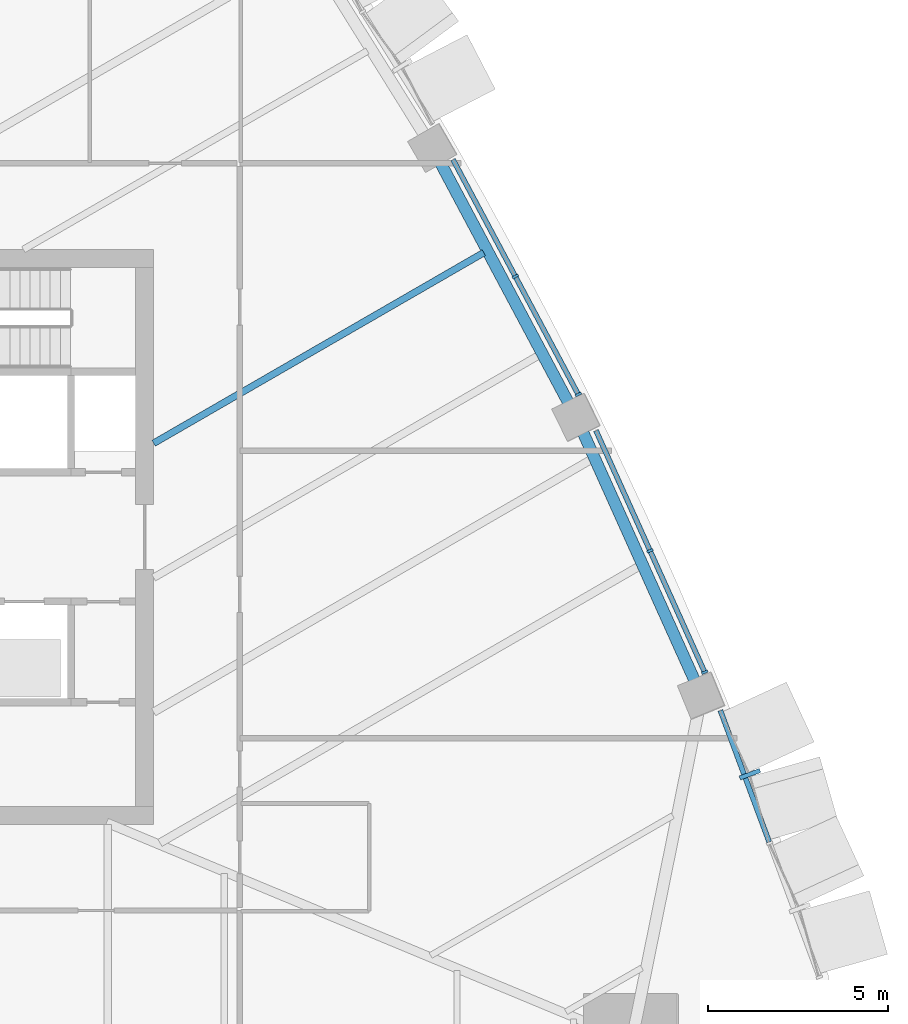
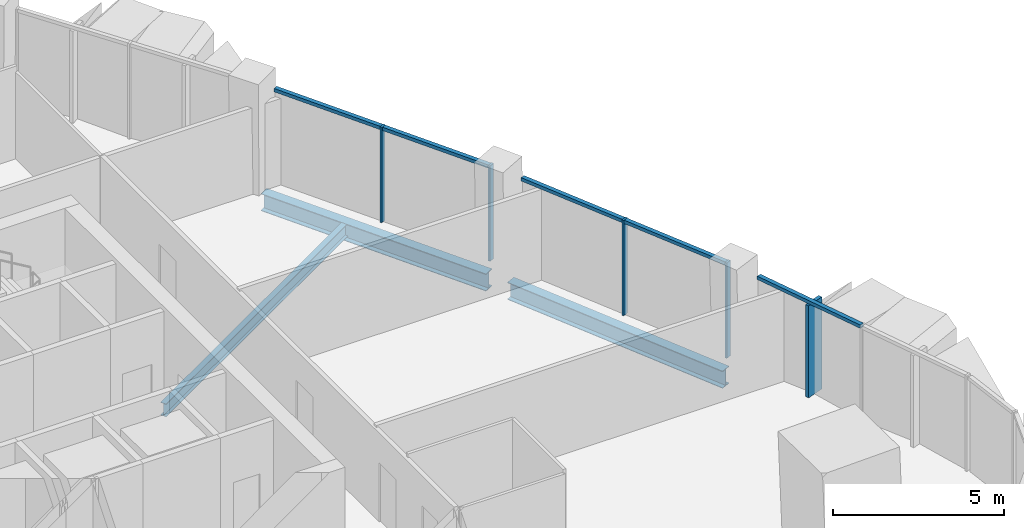
# One storey, part 5 of 17: 10 members, 3 beams, 3 elements without a shape of their own.
"""IFC4 building model written with IfcOpenShell, lengths in metres."""

from ifc_helpers import new_model, si_unit, direction, frame, origin, origin_2d, place, context, subcontext, project, spatial, rectangle, i_section, extrude, material, layer, layer_set, material_profile, profile_set, type_object, element, aggregate, save


model = new_model("IFC4")

# Units and contexts
model_context = context("Model", 3, precision=1e-05, world=origin(), true_north=direction((0.0, 1.0)))
body_context = subcontext(model_context, "Body", "Model", "MODEL_VIEW")
ifc_project = project(units=[si_unit("LENGTHUNIT", "METRE"), si_unit("AREAUNIT", "SQUARE_METRE"), si_unit("VOLUMEUNIT", "CUBIC_METRE"), si_unit("PLANEANGLEUNIT", "RADIAN"), si_unit("MASSUNIT", "GRAM", prefix="KILO")], contexts=[model_context])

# Site, building, storey
site_placement = place(None, origin())
site = spatial("IfcSite", under=ifc_project, at=site_placement, CompositionType="ELEMENT")
building_placement = place(site_placement, origin())
building = spatial("IfcBuilding", under=site, at=building_placement, Name="Sierra Prisma Convention Tower", CompositionType="ELEMENT")
storey_placement = place(building_placement, frame((0.0, 0.0, 153.800048828125)))
storey = spatial("IfcBuildingStorey", under=building, at=storey_placement, Name="L33", CompositionType="ELEMENT", Elevation=153.800048828125)

# Curtain wall, member
ifc_material_1 = material(Name="Aluminium and glass curtain wall", Category="aluminium")
ifc_layer_1 = layer(ifc_material_1, 0.179931640625)
ifc_layer_set_1 = layer_set([ifc_layer_1], Name="CW-2 Faceted crystal curtain wall")
curtain_wall_type_1 = type_object("IfcCurtainWallType", Name="CW-2 Faceted crystal curtain wall", PredefinedType="NOTDEFINED", material=ifc_layer_set_1)
curtain_wall_1_placement = place(storey_placement, origin())
curtain_wall_1 = element("IfcCurtainWall", 1, at=curtain_wall_1_placement, inside=storey, type_object=curtain_wall_type_1, Name="CW-2 NE1 L33", PredefinedType="NOTDEFINED")
ifc_material_2 = material(Name="Aluminium 6063-T6 bronze anodised", Category="aluminium")
ifc_material_profile_1 = material_profile(ifc_material_2, rectangle(XDim=0.1201171875, YDim=0.60009765625, at=origin_2d()), Name="ALU RIDGE BLADE 120x600")
ifc_profile_set_1 = profile_set([ifc_material_profile_1], Name="Aluminium 6063-T6 bronze anodised")
member_type_1 = type_object("IfcMemberType", Name="CW hip bronze", PredefinedType="MULLION", material=ifc_profile_set_1)
member_1_placement = place(storey_placement, frame((27.600830078125, -6.606201171875, 0.0), z_axis=(0.0, 0.0, 1.0), x_axis=(-0.3480778444, 0.93746563363, 0.0)))
member_1 = element("IfcMember", 2, at=member_1_placement, type_object=member_type_1, Name="CW-2 ridge NE1.2", PredefinedType="MULLION", context=body_context, shape_type="SweptSolid", body=[
    extrude(rectangle(XDim=0.1201171875, YDim=0.60009765625, at=origin_2d()), origin(), (0.0, 0.0, 1.0), 3.280029296875),
])

# Curtain wall, members
ifc_material_3 = material(Name="Aluminium and glass curtain wall", Category="aluminium")
ifc_layer_2 = layer(ifc_material_3, 0.179931640625)
ifc_layer_set_2 = layer_set([ifc_layer_2], Name="CW-1 Plain shaft curtain wall")
curtain_wall_type_2 = type_object("IfcCurtainWallType", Name="CW-1 Plain shaft curtain wall", PredefinedType="NOTDEFINED", material=ifc_layer_set_2)
curtain_wall_2_placement = place(storey_placement, origin())
curtain_wall_2 = element("IfcCurtainWall", 3, at=curtain_wall_2_placement, inside=storey, type_object=curtain_wall_type_2, Name="CW-1 NE2 L33", PredefinedType="NOTDEFINED")
ifc_material_4 = material(Name="Aluminium 6063-T6 bronze anodised", Category="aluminium")
ifc_material_profile_2 = material_profile(ifc_material_4, rectangle(XDim=0.179931640625, YDim=0.070068359375, at=origin_2d()), Name="ALU MULLION 70x180")
ifc_profile_set_2 = profile_set([ifc_material_profile_2], Name="Aluminium 6063-T6 bronze anodised")
member_type_2 = type_object("IfcMemberType", Name="CW mullion bronze", PredefinedType="MULLION", material=ifc_profile_set_2)
member_2_placement = place(storey_placement, frame((26.34033203125, -3.764892578125, 0.0), z_axis=(0.0, 0.0, 1.0), x_axis=(-0.911963541386, -0.410271250738, 0.0)))
member_2 = element("IfcMember", 4, at=member_2_placement, type_object=member_type_2, Name="CW-1 mullion NE2.1", PredefinedType="MULLION", context=body_context, shape_type="SweptSolid", body=[
    extrude(rectangle(XDim=0.179931640625, YDim=0.070068359375, at=origin_2d()), origin(), (0.0, 0.0, 1.0), 3.39990234375),
])
member_3_placement = place(storey_placement, frame((24.819580078125, -0.384521484375, 0.0), z_axis=(0.0, 0.0, 1.0), x_axis=(-0.911963541386, -0.410271250738, 0.0)))
member_3 = element("IfcMember", 5, at=member_3_placement, type_object=member_type_2, Name="CW-1 mullion NE2.2", PredefinedType="MULLION", context=body_context, shape_type="SweptSolid", body=[
    extrude(rectangle(XDim=0.179931640625, YDim=0.070068359375, at=origin_2d()), origin(), (0.0, 0.0, 1.0), 3.39990234375),
])

curtain_wall_3_placement = place(storey_placement, origin())
curtain_wall_3 = element("IfcCurtainWall", 6, at=curtain_wall_3_placement, inside=storey, type_object=curtain_wall_type_2, Name="CW-1 NE3 L33", PredefinedType="NOTDEFINED")
member_4_placement = place(storey_placement, frame((22.82177734375, 3.966552734375, 0.0), z_axis=(0.0, 0.0, 1.0), x_axis=(-0.882340854508, -0.470610897097, 0.0)))
member_4 = element("IfcMember", 7, at=member_4_placement, type_object=member_type_2, Name="CW-1 mullion NE3.1", PredefinedType="MULLION", context=body_context, shape_type="SweptSolid", body=[
    extrude(rectangle(XDim=0.179931640625, YDim=0.070068359375, at=origin_2d()), origin(), (0.0, 0.0, 1.0), 3.39990234375),
])
member_5_placement = place(storey_placement, frame((21.06982421875, 7.251220703125, 0.0), z_axis=(0.0, 0.0, 1.0), x_axis=(-0.882340854508, -0.470610897097, 0.0)))
member_5 = element("IfcMember", 8, at=member_5_placement, type_object=member_type_2, Name="CW-1 mullion NE3.2", PredefinedType="MULLION", context=body_context, shape_type="SweptSolid", body=[
    extrude(rectangle(XDim=0.179931640625, YDim=0.070068359375, at=origin_2d()), origin(), (0.0, 0.0, 1.0), 3.39990234375),
])

# Member
ifc_material_5 = material(Name="Aluminium 6063-T6 bronze anodised", Category="aluminium")
ifc_material_profile_3 = material_profile(ifc_material_5, rectangle(XDim=0.139892578125, YDim=0.1201171875, at=origin_2d()), Name="ALU TRANSOM 120x140")
ifc_profile_set_3 = profile_set([ifc_material_profile_3], Name="Aluminium 6063-T6 bronze anodised")
member_type_3 = type_object("IfcMemberType", Name="CW transom bronze", PredefinedType="USERDEFINED", material=ifc_profile_set_3)
member_6_placement = place(storey_placement, frame((28.136962890625, -8.491943359375, 3.33984375), z_axis=(-0.348089298111, 0.937461380826, 0.0), x_axis=(-0.937461380826, -0.348089298111, 0.0)))
member_6 = element("IfcMember", 9, at=member_6_placement, type_object=member_type_3, Name="CW-1 transom NE1.2", ObjectType="TRANSOM", PredefinedType="USERDEFINED", context=body_context, shape_type="SweptSolid", body=[
    extrude(rectangle(XDim=0.139892578125, YDim=0.1201171875, at=origin_2d()), origin(), (0.0, 0.0, 1.0), 3.90869140625),
])

aggregate(curtain_wall_1, [member_6, member_1])

member_7_placement = place(storey_placement, frame((26.325927734375, -3.73291015625, 3.33984375), z_axis=(-0.41026418116, 0.911966721793, 0.0), x_axis=(-0.911966721793, -0.41026418116, 0.0)))
member_7 = element("IfcMember", 10, at=member_7_placement, type_object=member_type_3, Name="CW-1 transom NE2.1", ObjectType="TRANSOM", PredefinedType="USERDEFINED", context=body_context, shape_type="SweptSolid", body=[
    extrude(rectangle(XDim=0.139892578125, YDim=0.1201171875, at=origin_2d()), origin(), (0.0, 0.0, 1.0), 3.636474609375),
])

member_8_placement = place(storey_placement, frame((24.80517578125, -0.3525390625, 3.33984375), z_axis=(-0.41026418116, 0.911966721793, 0.0), x_axis=(-0.911966721793, -0.41026418116, 0.0)))
member_8 = element("IfcMember", 11, at=member_8_placement, type_object=member_type_3, Name="CW-1 transom NE2.2", ObjectType="TRANSOM", PredefinedType="USERDEFINED", context=body_context, shape_type="SweptSolid", body=[
    extrude(rectangle(XDim=0.139892578125, YDim=0.1201171875, at=origin_2d()), origin(), (0.0, 0.0, 1.0), 3.636474609375),
])

aggregate(curtain_wall_2, [member_2, member_3, member_7, member_8])

member_9_placement = place(storey_placement, frame((22.80517578125, 3.99755859375, 3.33984375), z_axis=(-0.470588235294, 0.882352941176, 0.0), x_axis=(-0.882352941176, -0.470588235294, 0.0)))
member_9 = element("IfcMember", 12, at=member_9_placement, type_object=member_type_3, Name="CW-1 transom NE3.1", ObjectType="TRANSOM", PredefinedType="USERDEFINED", context=body_context, shape_type="SweptSolid", body=[
    extrude(rectangle(XDim=0.139892578125, YDim=0.1201171875, at=origin_2d()), origin(), (0.0, 0.0, 1.0), 3.65234375),
])

member_10_placement = place(storey_placement, frame((21.053466796875, 7.281982421875, 3.33984375), z_axis=(-0.470612519136, 0.882339989365, 0.0), x_axis=(-0.882339989365, -0.470612519136, 0.0)))
member_10 = element("IfcMember", 13, at=member_10_placement, type_object=member_type_3, Name="CW-1 transom NE3.2", ObjectType="TRANSOM", PredefinedType="USERDEFINED", context=body_context, shape_type="SweptSolid", body=[
    extrude(rectangle(XDim=0.139892578125, YDim=0.1201171875, at=origin_2d()), origin(), (0.0, 0.0, 1.0), 3.652587890625),
])

aggregate(curtain_wall_3, [member_4, member_5, member_9, member_10])

# Beams
ifc_material_6 = material(Name="Steel ASTM A992 Gr 50", Category="steel")
ifc_material_profile_4 = material_profile(ifc_material_6, i_section(OverallWidth=0.18994140625, OverallDepth=0.45703125, WebThickness=0.009033203125, FlangeThickness=0.014404296875, at=origin_2d()), Name="W460x74")
ifc_profile_set_4 = profile_set([ifc_material_profile_4], Name="Steel ASTM A992 Gr 50")
beam_type_1 = type_object("IfcBeamType", Name="Floor joist W460x74", PredefinedType="JOIST", material=ifc_profile_set_4)
beam_1_placement = place(storey_placement, frame((20.191650390625, 7.915283203125, -0.378662109375), z_axis=(-0.86602202007, -0.50000586072, 0.0), x_axis=(0.50000586072, -0.86602202007, 0.0)))
element("IfcBeam", 14, at=beam_1_placement, inside=storey, type_object=beam_type_1, Name="Floor joist L33 NE07", PredefinedType="JOIST", context=body_context, shape_type="SweptSolid", body=[
    extrude(i_section(OverallWidth=0.18994140625, OverallDepth=0.45703125, WebThickness=0.009033203125, FlangeThickness=0.014404296875, at=origin_2d()), origin(), (0.0, 0.0, 1.0), 10.613525390625),
])
ifc_material_7 = material(Name="Steel ASTM A992 Gr 50", Category="steel")
ifc_material_profile_5 = material_profile(ifc_material_7, i_section(OverallWidth=0.324951171875, OverallDepth=0.615966796875, WebThickness=0.013916015625, FlangeThickness=0.021484375, at=origin_2d()), Name="W610x174")
ifc_profile_set_5 = profile_set([ifc_material_profile_5], Name="Steel ASTM A992 Gr 50")
beam_type_2 = type_object("IfcBeamType", Name="Spandrel beam W610x174", PredefinedType="BEAM", material=ifc_profile_set_5)
beam_2_placement = place(storey_placement, frame((26.09814453125, -4.079345703125, -0.4580078125), z_axis=(-0.410279463563, 0.911959846582, 0.0), x_axis=(-0.911959846582, -0.410279463563, 0.0)))
element("IfcBeam", 15, at=beam_2_placement, inside=storey, type_object=beam_type_2, Name="Spandrel L33-08", PredefinedType="BEAM", context=body_context, shape_type="SweptSolid", body=[
    extrude(i_section(OverallWidth=0.324951171875, OverallDepth=0.615966796875, WebThickness=0.013916015625, FlangeThickness=0.021484375, at=origin_2d()), origin(), (0.0, 0.0, 1.0), 7.743408203125),
])
beam_3_placement = place(storey_placement, frame((22.586181640625, 3.664794921875, -0.4580078125), z_axis=(-0.470591508126, 0.882351195659, 0.0), x_axis=(-0.882351195659, -0.470591508126, 0.0)))
element("IfcBeam", 16, at=beam_3_placement, inside=storey, type_object=beam_type_2, Name="Spandrel L33-09", PredefinedType="BEAM", context=body_context, shape_type="SweptSolid", body=[
    extrude(i_section(OverallWidth=0.324951171875, OverallDepth=0.615966796875, WebThickness=0.013916015625, FlangeThickness=0.021484375, at=origin_2d()), origin(), (0.0, 0.0, 1.0), 7.74365234375),
])

save(model, "model.ifc")
